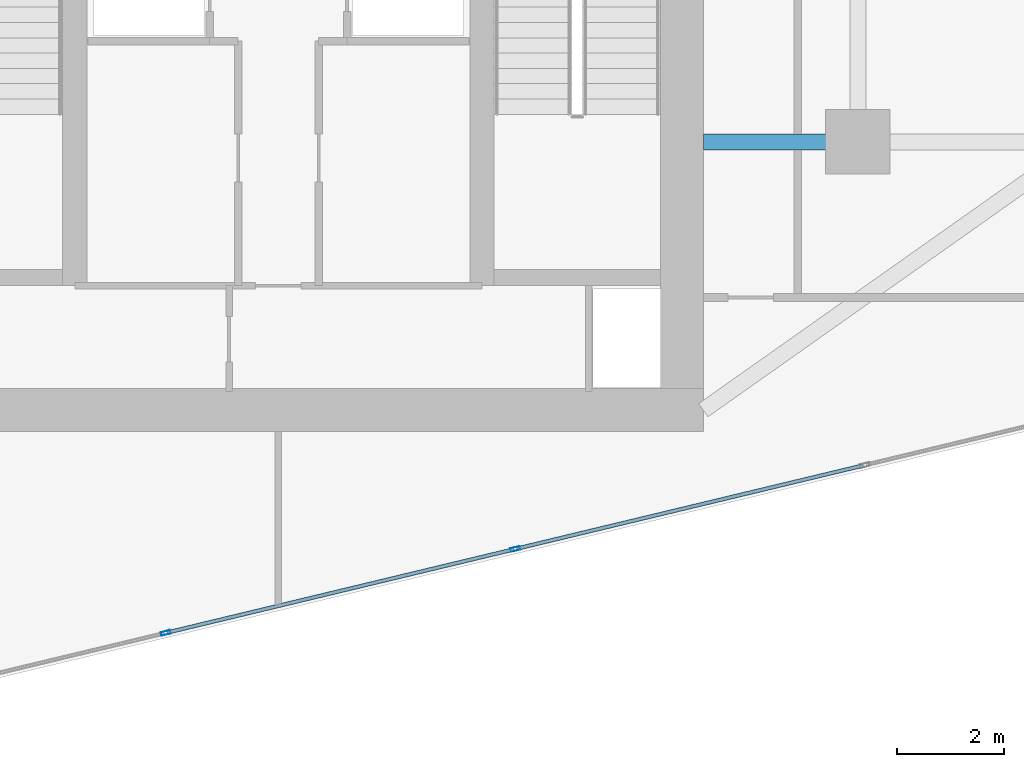
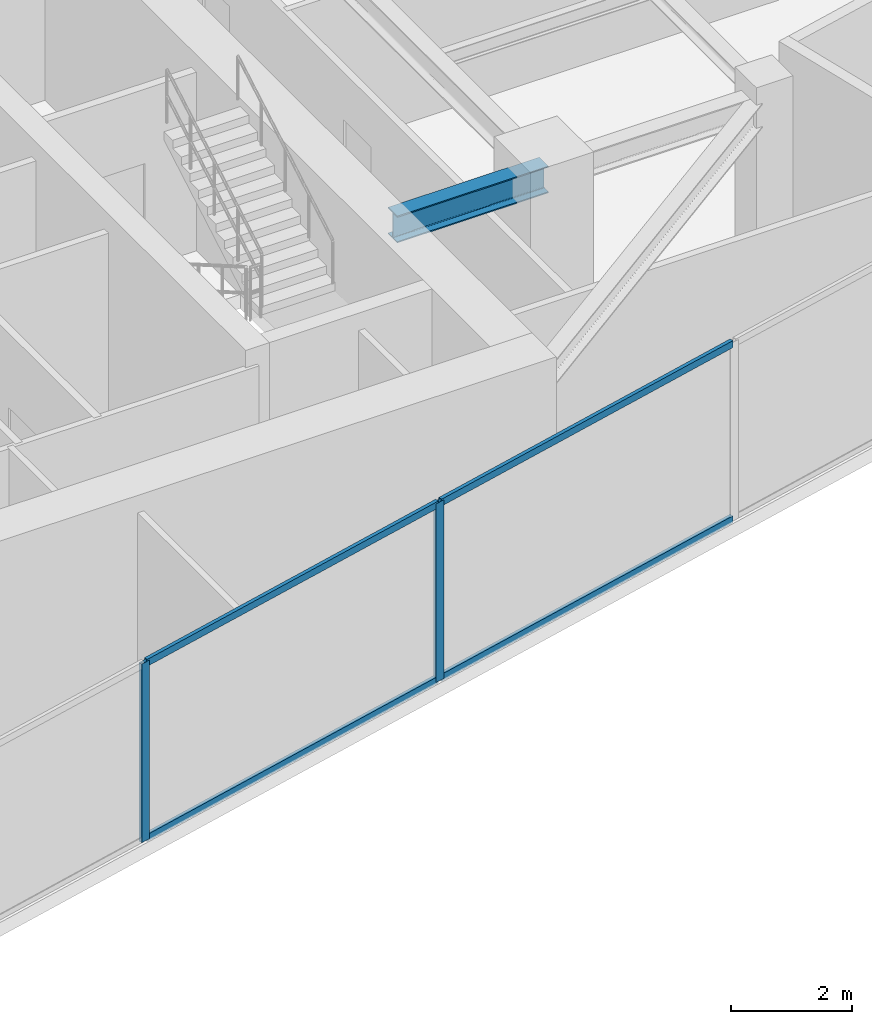
# One storey, part 4 of 22: 6 members, 1 beam, 1 element without a shape of its own.
"""IFC4 building model written with IfcOpenShell, lengths in metres."""

import ifcopenshell
import ifcopenshell.guid

model = None  # the IFC model being written
_history = None  # IfcOwnerHistory: only IFC2X3 demands one
_inside = {}  # id of a spatial element -> (the spatial element, [elements in it])
_under = {}  # id of a project, library or spatial element -> (it, [spatial elements below it])
_declared = {}  # id of a project -> (the project, [libraries it declares])
_typed = {}  # id of a type object -> (the type object, [elements of that type])
_made_of = {}  # id of a material, layer set ... -> (it, [elements and type objects made of it])


def new_model(schema):
    """Start an empty IFC model of exactly this schema.

    Asked for "IFC4X3", IfcOpenShell would pick the latest addendum, in which some entities
    have other attributes; the version numbers below select the first issue.
    IFC2X3 requires an IfcOwnerHistory on every rooted entity: one is made here for all.
    """
    global model, _history
    if schema == "IFC4X3":
        model = ifcopenshell.file(schema_version=(4, 3, 0, 0))
    else:
        model = ifcopenshell.file(schema=schema)
    _inside.clear()
    _under.clear()
    _declared.clear()
    _typed.clear()
    _made_of.clear()
    _history = None
    if model.schema == "IFC2X3":
        org = make("IfcOrganization", Name="unknown")
        user = make(
            "IfcPersonAndOrganization",
            ThePerson=make("IfcPerson", FamilyName="unknown"),
            TheOrganization=org,
        )
        app = make(
            "IfcApplication",
            ApplicationDeveloper=org,
            Version="unknown",
            ApplicationFullName="unknown",
            ApplicationIdentifier="unknown",
        )
        _history = make(
            "IfcOwnerHistory",
            OwningUser=user,
            OwningApplication=app,
            ChangeAction="ADDED",
            CreationDate=0,
        )
    return model


def make(cls, **values):
    """One entity of the class cls with the attributes given. An attribute that is None is left unset."""
    return model.create_entity(
        cls, **{name: value for name, value in values.items() if value is not None}
    )


def rooted(cls, **values):
    """An entity with a GlobalId (a new one), such as an element, a storey or a relation."""
    return make(cls, GlobalId=ifcopenshell.guid.new(), OwnerHistory=_history, **values)


def si_unit(unit_type, name, prefix=None):
    """IfcSIUnit, for example si_unit("LENGTHUNIT", "METRE", prefix="MILLI")."""
    return make("IfcSIUnit", UnitType=unit_type, Prefix=prefix, Name=name)


def assignment(units):
    """IfcUnitAssignment: the units of a project."""
    return None if units is None else make("IfcUnitAssignment", Units=units)


def point(xyz):
    """IfcCartesianPoint."""
    return None if xyz is None else make("IfcCartesianPoint", Coordinates=xyz)


def direction(xyz):
    """IfcDirection."""
    return None if xyz is None else make("IfcDirection", DirectionRatios=xyz)


def frame(location, z_axis=None, x_axis=None):
    """IfcAxis2Placement3D, a coordinate frame: its origin and axes. An axis left out is left unset."""
    return make(
        "IfcAxis2Placement3D",
        Location=point(location),
        Axis=direction(z_axis),
        RefDirection=direction(x_axis),
    )


def frame_2d(location, x_axis=None):
    """IfcAxis2Placement2D, a coordinate frame in the plane: its origin and x axis."""
    return make(
        "IfcAxis2Placement2D", Location=point(location), RefDirection=direction(x_axis)
    )


def origin():
    """The frame at (0, 0, 0) with its axes left unset."""
    return frame((0.0, 0.0, 0.0))


def origin_2d():
    """The frame at (0, 0) in the plane with its x axis left unset."""
    return frame_2d((0.0, 0.0))


def place(relative_to, where):
    """IfcLocalPlacement: puts the frame where relative to a parent placement (None: the world)."""
    return make(
        "IfcLocalPlacement", PlacementRelTo=relative_to, RelativePlacement=where
    )


def context(
    kind, dimensions, precision=None, world=None, true_north=None, identifier=None
):
    """IfcGeometricRepresentationContext, for example the 3D "Model" context."""
    return make(
        "IfcGeometricRepresentationContext",
        ContextIdentifier=identifier,
        ContextType=kind,
        CoordinateSpaceDimension=dimensions,
        Precision=precision,
        WorldCoordinateSystem=world,
        TrueNorth=true_north,
    )


def subcontext(parent, identifier, kind, view, scale=None):
    """IfcGeometricRepresentationSubContext, for example "Body" below "Model"."""
    return make(
        "IfcGeometricRepresentationSubContext",
        ContextIdentifier=identifier,
        ContextType=kind,
        ParentContext=parent,
        TargetScale=scale,
        TargetView=view,
    )


def project(units=None, contexts=None):
    """IfcProject with its units and contexts."""
    return rooted(
        "IfcProject",
        Name="project",
        RepresentationContexts=contexts,
        UnitsInContext=assignment(units),
    )


def spatial(cls, under=None, at=None, **own):
    """A site, building, storey or space (cls), placed at a placement, below another one or the project."""
    s = rooted(cls, ObjectPlacement=at, **own)
    if under is not None:
        _under.setdefault(under.id(), (under, []))[1].append(s)
    return s


def profile(cls, at=None, kind="AREA", **sizes):
    """A parametric profile (cls). Its sizes go by their IFC names, for example OverallWidth=200.0."""
    return make(cls, ProfileType=kind, Position=at, **sizes)


def hollow_rectangle(**sizes):
    """IfcRectangleHollowProfileDef."""
    return profile("IfcRectangleHollowProfileDef", **sizes)


def i_section(**sizes):
    """IfcIShapeProfileDef."""
    return profile("IfcIShapeProfileDef", **sizes)


def extrude(swept, where, along, depth):
    """IfcExtrudedAreaSolid: the profile swept, set in the frame where, extruded along a direction by depth."""
    return make(
        "IfcExtrudedAreaSolid",
        SweptArea=swept,
        Position=where,
        ExtrudedDirection=direction(along),
        Depth=depth,
    )


def shape(context_of_items, identifier, shape_type, items):
    """IfcShapeRepresentation: the items that make up one representation, for example the "Body"."""
    return make(
        "IfcShapeRepresentation",
        ContextOfItems=context_of_items,
        RepresentationIdentifier=identifier,
        RepresentationType=shape_type,
        Items=items,
    )


def source(mapping_origin, context_of_items, identifier, shape_type, items):
    """IfcRepresentationMap: a shape defined once, which mapped items show again and again."""
    return make(
        "IfcRepresentationMap",
        MappingOrigin=mapping_origin,
        MappedRepresentation=shape(context_of_items, identifier, shape_type, items),
    )


def transform(
    local_origin,
    x_axis=None,
    y_axis=None,
    z_axis=None,
    scale=None,
    scale2=None,
    scale3=None,
    uniform=True,
):
    """IfcCartesianTransformationOperator3D, or its non-uniform kind. x_axis, y_axis, z_axis: its Axis1, 2, 3."""
    if uniform:
        return make(
            "IfcCartesianTransformationOperator3D",
            Axis1=direction(x_axis),
            Axis2=direction(y_axis),
            LocalOrigin=point(local_origin),
            Scale=scale,
            Axis3=direction(z_axis),
        )
    return make(
        "IfcCartesianTransformationOperator3DnonUniform",
        Axis1=direction(x_axis),
        Axis2=direction(y_axis),
        LocalOrigin=point(local_origin),
        Scale=scale,
        Axis3=direction(z_axis),
        Scale2=scale2,
        Scale3=scale3,
    )


def mapped(mapping_source, mapping_target):
    """IfcMappedItem: shows the shape of a source again, moved by a transform."""
    return make(
        "IfcMappedItem", MappingSource=mapping_source, MappingTarget=mapping_target
    )


def material(Name=None, Category=None):
    """IfcMaterial."""
    return make("IfcMaterial", Name=Name, Category=Category)


def material_profile(
    of_material, cross_section, Name=None, Category=None, Priority=None
):
    """IfcMaterialProfile: a cross section and its material."""
    return make(
        "IfcMaterialProfile",
        Name=Name,
        Material=of_material,
        Profile=cross_section,
        Priority=Priority,
        Category=Category,
    )


def profile_set(profiles, Name=None, composite=None):
    """IfcMaterialProfileSet."""
    return make(
        "IfcMaterialProfileSet",
        Name=Name,
        MaterialProfiles=profiles,
        CompositeProfile=composite,
    )


def made_of(thing, what):
    """Note that an element or type object is made of a material, layer set ...; save() writes the relation."""
    if what is not None:
        _made_of.setdefault(what.id(), (what, []))[1].append(thing)
    return thing


def type_object(cls, material=None, **own):
    """A type object (cls), such as IfcWallType, which elements share."""
    return made_of(rooted(cls, **own), material)


def type_shapes(of_type, sources):
    """Give a type object the sources (RepresentationMaps) that its elements show as mapped items."""
    of_type.RepresentationMaps = sources


def element(
    cls,
    number,
    at=None,
    inside=None,
    cuts=None,
    type_object=None,
    material=None,
    context=None,
    identifier="Body",
    shape_type=None,
    held_by="IfcProductDefinitionShape",
    body=None,
    shapes=None,
    **own,
):
    """One element of the class cls, such as IfcWall. Its Tag is "e" and its number.

    at: its placement. inside: the storey or other place that contains it. cuts: it is an
    opening in that element (IfcRelVoidsElement). A single representation is given by context,
    identifier, shape_type and body (its items); several are given by shapes. held_by: the class
    of the entity that holds the representations. save() writes the other relations.
    """
    e = rooted(cls, Tag="e%d" % number, ObjectPlacement=at, **own)
    if body is not None:
        shapes = [shape(context, identifier, shape_type, body)]
    if shapes is not None:
        e.Representation = make(held_by, Representations=shapes)
    if inside is not None:
        _inside.setdefault(inside.id(), (inside, []))[1].append(e)
    if cuts is not None:
        rooted(
            "IfcRelVoidsElement", RelatingBuildingElement=cuts, RelatedOpeningElement=e
        )
    if type_object is not None:
        _typed.setdefault(type_object.id(), (type_object, []))[1].append(e)
    return made_of(e, material)


def aggregate(whole, parts):
    """IfcRelAggregates: a whole, such as a stair, and the parts it consists of."""
    return rooted("IfcRelAggregates", RelatingObject=whole, RelatedObjects=parts)


def save(model, path):
    """Write the relations noted so far, then the file.

    IfcRelAggregates (storeys below a building ...), IfcRelContainedInSpatialStructure (elements
    in a storey), IfcRelDefinesByType, IfcRelAssociatesMaterial and IfcRelDeclares: one each for
    every whole, place, type object, material and project.
    """
    for whole, parts in _under.values():
        aggregate(whole, parts)
    for where, things in _inside.values():
        rooted(
            "IfcRelContainedInSpatialStructure",
            RelatedElements=things,
            RelatingStructure=where,
        )
    for kind, things in _typed.values():
        rooted("IfcRelDefinesByType", RelatedObjects=things, RelatingType=kind)
    for what, things in _made_of.values():
        rooted("IfcRelAssociatesMaterial", RelatedObjects=things, RelatingMaterial=what)
    for by, libraries in _declared.values():
        rooted("IfcRelDeclares", RelatingContext=by, RelatedDefinitions=libraries)
    model.write(path)


model = new_model("IFC4")

# Units and contexts
model_context = context("Model", 3, precision=1e-05, world=origin(), true_north=direction((0.0, 1.0)))
body_context = subcontext(model_context, "Body", "Model", "MODEL_VIEW")
ifc_project = project(units=[si_unit("LENGTHUNIT", "METRE"), si_unit("AREAUNIT", "SQUARE_METRE"), si_unit("VOLUMEUNIT", "CUBIC_METRE"), si_unit("PLANEANGLEUNIT", "RADIAN"), si_unit("MASSUNIT", "GRAM", prefix="KILO")], contexts=[model_context])

# Site, building, storey
site_placement = place(None, origin())
site = spatial("IfcSite", under=ifc_project, at=site_placement, CompositionType="ELEMENT")
building_placement = place(site_placement, origin())
building = spatial("IfcBuilding", under=site, at=building_placement, Name="Krantzveldt Concourse Tower", CompositionType="ELEMENT")
storey_placement = place(building_placement, frame((0.0, 0.0, 359.300048828125)))
storey = spatial("IfcBuildingStorey", under=building, at=storey_placement, Name="L88", CompositionType="ELEMENT", Elevation=359.300048828125)

# Beam
ifc_material_1 = material(Name="Steel S355JR", Category="steel")
ifc_material_profile_1 = material_profile(ifc_material_1, i_section(OverallWidth=0.300048828125, OverallDepth=0.5400390625, WebThickness=0.012451171875, FlangeThickness=0.02392578125, FilletRadius=0.027099609375, at=origin_2d()), Name="Steel S355JR", Category="steel")
ifc_profile_set_1 = profile_set([ifc_material_profile_1], Name="Steel S355JR - HEA 550")
beam_type = type_object("IfcBeamType", Name="BM-B-HEA550", PredefinedType="BEAM", material=ifc_profile_set_1)
shared_shape_1 = source(origin(), body_context, "Body", "SweptSolid", [
    extrude(i_section(OverallWidth=0.300048828125, OverallDepth=0.5400390625, WebThickness=0.012451171875, FlangeThickness=0.02392578125, FilletRadius=0.027099609375, at=origin_2d()), origin(), (0.0, 0.0, 1.0), 2.880126953125),
])
type_shapes(beam_type, [shared_shape_1])
beam_placement = place(storey_placement, frame((43.919921875, 15.89990234375, 3.329833984375), z_axis=(1.0, 0.0, 0.0), x_axis=(0.0, 1.0, 0.0)))
element("IfcBeam", 1, at=beam_placement, inside=storey, type_object=beam_type, Name="L88 Tower Girder BG-CE1", PredefinedType="BEAM", context=body_context, shape_type="MappedRepresentation", body=[
    mapped(shared_shape_1, transform((0.0, 0.0, 0.0), x_axis=(1.0, 0.0, 0.0), y_axis=(0.0, 1.0, 0.0), z_axis=(0.0, 0.0, 1.0), scale=1.0)),
])

# Curtain wall, members
ifc_material_2 = material(Name="Anodised aluminium 6063-T6", Category="aluminium")
curtain_wall_type = type_object("IfcCurtainWallType", Name="CW4", PredefinedType="USERDEFINED", material=ifc_material_2)
curtain_wall_placement = place(storey_placement, origin())
curtain_wall = element("IfcCurtainWall", 2, at=curtain_wall_placement, inside=storey, type_object=curtain_wall_type, Name="CW-L88-F07", ObjectType="UNITISED CURTAIN WALL", PredefinedType="USERDEFINED")
ifc_material_profile_2 = material_profile(ifc_material_2, hollow_rectangle(XDim=0.070068359375, YDim=0.139892578125, WallThickness=0.0048828125, at=origin_2d()), Name="Anodised aluminium 6063-T6", Category="aluminium")
ifc_profile_set_2 = profile_set([ifc_material_profile_2], Name="Anodised aluminium 6063-T6 - ALU-TRAN 140x70x5")
member_type_1 = type_object("IfcMemberType", Name="CW-TRN-150", PredefinedType="USERDEFINED", material=ifc_profile_set_2)
shared_shape_2 = source(origin(), body_context, "Body", "SweptSolid", [
    extrude(hollow_rectangle(XDim=0.070068359375, YDim=0.139892578125, WallThickness=0.0048828125, at=origin_2d()), origin(), (0.0, 0.0, 1.0), 6.6298828125),
])
type_shapes(member_type_1, [shared_shape_2])
member_1_placement = place(storey_placement, frame((33.93359375, 6.756591796875, 0.034912109375), z_axis=(0.972374264437, 0.233427268888, 0.0), x_axis=(-0.233427268888, 0.972374264437, 0.0)))
member_1 = element("IfcMember", 3, at=member_1_placement, type_object=member_type_1, Name="CW-Z56 transom 2.1", ObjectType="TRANSOM", PredefinedType="USERDEFINED", context=body_context, shape_type="MappedRepresentation", body=[
    mapped(shared_shape_2, transform((0.0, 0.0, 0.0), x_axis=(1.0, 0.0, 0.0), y_axis=(0.0, 1.0, 0.0), z_axis=(0.0, 0.0, 1.0), scale=1.0)),
])
member_2_placement = place(storey_placement, frame((33.93359375, 6.756591796875, 3.56494140625), z_axis=(0.972374264437, 0.233427268888, 0.0), x_axis=(-0.233427268888, 0.972374264437, 0.0)))
member_2 = element("IfcMember", 4, at=member_2_placement, type_object=member_type_1, Name="CW-Z56 transom 2.2", ObjectType="TRANSOM", PredefinedType="USERDEFINED", context=body_context, shape_type="MappedRepresentation", body=[
    mapped(shared_shape_2, transform((0.0, 0.0, 0.0), x_axis=(1.0, 0.0, 0.0), y_axis=(0.0, 1.0, 0.0), z_axis=(0.0, 0.0, 1.0), scale=1.0)),
])
member_3_placement = place(storey_placement, frame((40.448486328125, 8.320556640625, 0.034912109375), z_axis=(0.972365905625, 0.233462085953, 0.0), x_axis=(-0.233462085953, 0.972365905625, 0.0)))
member_3 = element("IfcMember", 5, at=member_3_placement, type_object=member_type_1, Name="CW-Z56 transom 3.1", ObjectType="TRANSOM", PredefinedType="USERDEFINED", context=body_context, shape_type="MappedRepresentation", body=[
    mapped(shared_shape_2, transform((0.0, 0.0, 0.0), x_axis=(1.0, 0.0, 0.0), y_axis=(0.0, 1.0, 0.0), z_axis=(0.0, 0.0, 1.0), scale=1.0)),
])
member_4_placement = place(storey_placement, frame((40.448486328125, 8.320556640625, 3.56494140625), z_axis=(0.972365905625, 0.233462085953, 0.0), x_axis=(-0.233462085953, 0.972365905625, 0.0)))
member_4 = element("IfcMember", 6, at=member_4_placement, type_object=member_type_1, Name="CW-Z56 transom 3.2", ObjectType="TRANSOM", PredefinedType="USERDEFINED", context=body_context, shape_type="MappedRepresentation", body=[
    mapped(shared_shape_2, transform((0.0, 0.0, 0.0), x_axis=(1.0, 0.0, 0.0), y_axis=(0.0, 1.0, 0.0), z_axis=(0.0, 0.0, 1.0), scale=1.0)),
])
ifc_material_profile_3 = material_profile(ifc_material_2, hollow_rectangle(XDim=0.070068359375, YDim=0.179931640625, WallThickness=0.0048828125, at=origin_2d()), Name="Anodised aluminium 6063-T6", Category="aluminium")
ifc_profile_set_3 = profile_set([ifc_material_profile_3], Name="Anodised aluminium 6063-T6 - ALU-MULL 180x70x5")
member_type_2 = type_object("IfcMemberType", Name="CW-MUL-180", PredefinedType="MULLION", material=ifc_profile_set_3)
shared_shape_3 = source(origin(), body_context, "Body", "SweptSolid", [
    extrude(hollow_rectangle(XDim=0.070068359375, YDim=0.179931640625, WallThickness=0.0048828125, at=origin_2d()), origin(), (0.0, 0.0, 1.0), 3.599853515625),
])
type_shapes(member_type_2, [shared_shape_3])
member_5_placement = place(storey_placement, frame((33.899658203125, 6.748291015625, 0.0), z_axis=(0.0, 0.0, 1.0), x_axis=(-0.233445461796, 0.972369896884, 0.0)))
member_5 = element("IfcMember", 7, at=member_5_placement, type_object=member_type_2, Name="CW-Z56 mullion 2", PredefinedType="MULLION", context=body_context, shape_type="MappedRepresentation", body=[
    mapped(shared_shape_3, transform((0.0, 0.0, 0.0), x_axis=(1.0, 0.0, 0.0), y_axis=(0.0, 1.0, 0.0), z_axis=(0.0, 0.0, 1.0), scale=1.0)),
])
member_6_placement = place(storey_placement, frame((40.41455078125, 8.3125, 0.0), z_axis=(0.0, 0.0, 1.0), x_axis=(-0.233445461796, 0.972369896884, 0.0)))
member_6 = element("IfcMember", 8, at=member_6_placement, type_object=member_type_2, Name="CW-Z56 mullion 3", PredefinedType="MULLION", context=body_context, shape_type="MappedRepresentation", body=[
    mapped(shared_shape_3, transform((0.0, 0.0, 0.0), x_axis=(1.0, 0.0, 0.0), y_axis=(0.0, 1.0, 0.0), z_axis=(0.0, 0.0, 1.0), scale=1.0)),
])
aggregate(curtain_wall, [member_5, member_6, member_1, member_2, member_3, member_4])

save(model, "model.ifc")
